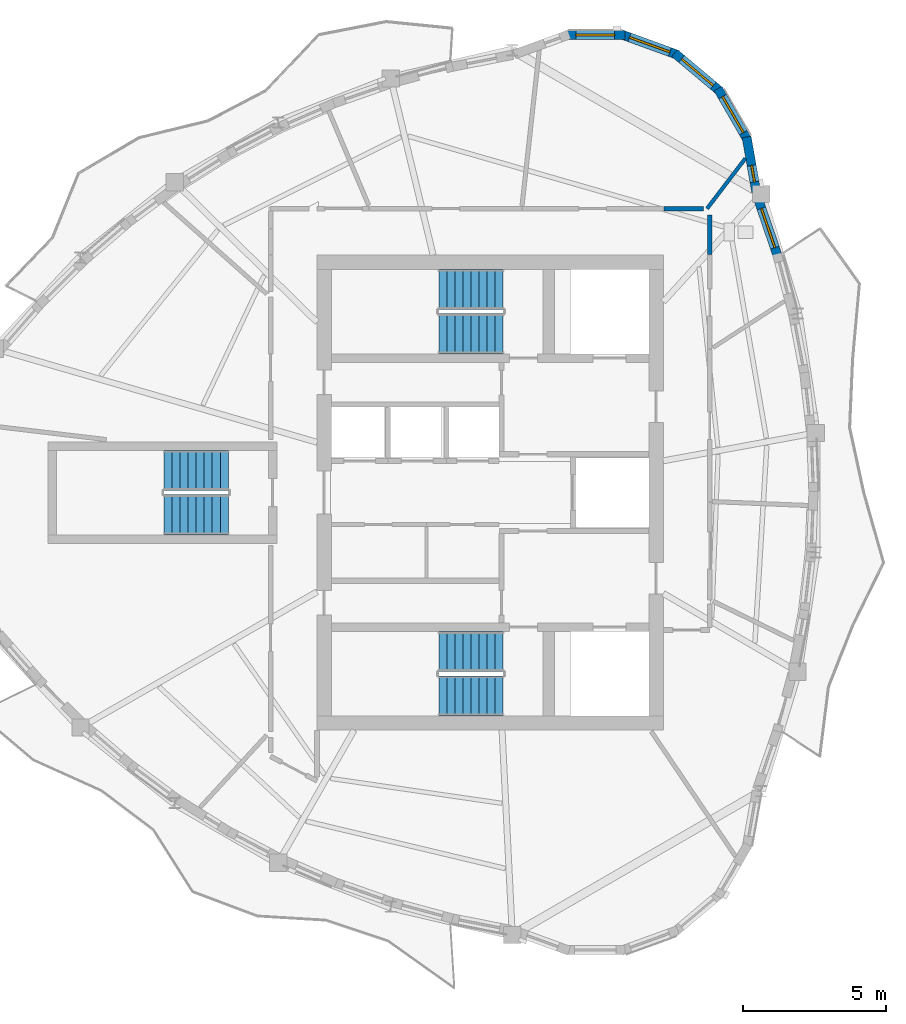
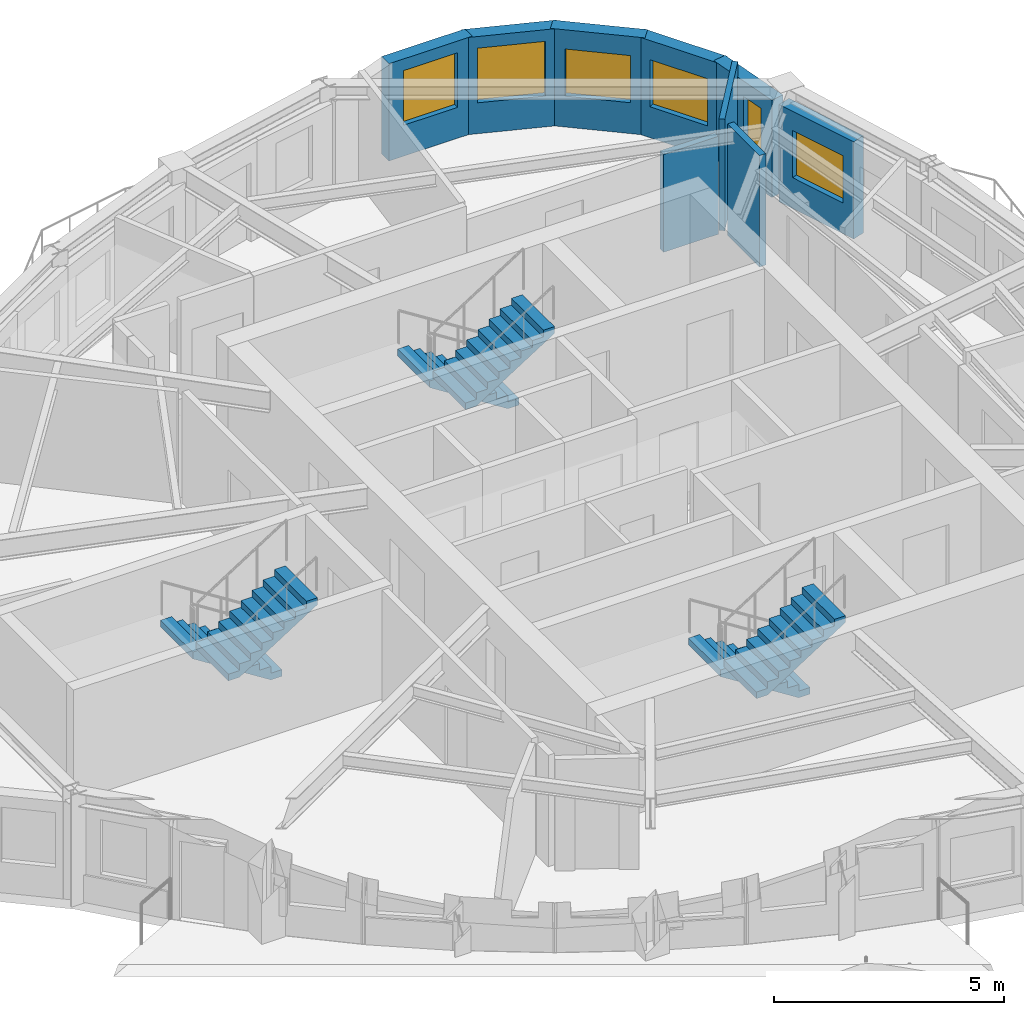
# One storey, part 7 of 11: 9 walls, 6 stair flights, 6 windows, 6 openings, 3 elements without a shape of their own.
"""IFC4 building model written with IfcOpenShell, lengths in metres."""

from ifc_helpers import new_model, si_unit, direction, frame, frame_2d, origin, place, context, subcontext, project, spatial, polyline, rectangle, outline, extrude, source, transform, mapped, material, layer, layer_set, type_object, element, fill, aggregate, save


model = new_model("IFC4")

# Units and contexts
model_context = context("Model", 3, precision=1e-05, world=origin(), true_north=direction((0.0, 1.0)))
body_context = subcontext(model_context, "Body", "Model", "MODEL_VIEW")
ifc_project = project(units=[si_unit("LENGTHUNIT", "METRE"), si_unit("AREAUNIT", "SQUARE_METRE"), si_unit("VOLUMEUNIT", "CUBIC_METRE"), si_unit("PLANEANGLEUNIT", "RADIAN"), si_unit("MASSUNIT", "GRAM", prefix="KILO")], contexts=[model_context])

# Site, building, storey
site_placement = place(None, origin())
site = spatial("IfcSite", under=ifc_project, at=site_placement, CompositionType="ELEMENT")
building_placement = place(site_placement, origin())
building = spatial("IfcBuilding", under=site, at=building_placement, Name="Qafzar Sky-Pleat Residences", CompositionType="ELEMENT")
storey_placement = place(building_placement, frame((0.0, 0.0, 227.60009765625)))
storey = spatial("IfcBuildingStorey", under=building, at=storey_placement, Name="L68", CompositionType="ELEMENT", Elevation=227.60009765625)

# Walls
ifc_material_1 = material(Name="Acoustic gypsum plasterboard partition", Category="gypsum")
ifc_layer_1 = layer(ifc_material_1, 0.159912109375)
ifc_layer_set_1 = layer_set([ifc_layer_1], Name="Acoustic gypsum plasterboard partition")
wall_type_1 = type_object("IfcWallType", Name="PART-COR-160", PredefinedType="PARTITIONING", material=ifc_layer_set_1)
wall_1_placement = place(storey_placement, frame((38.02001953125, 34.31494140625, 0.0), z_axis=(0.0, 0.0, 1.0), x_axis=(0.0, 1.0, 0.0)))
element("IfcWall", 1, at=wall_1_placement, inside=storey, type_object=wall_type_1, Name="L68 Partition Wall PART-L68-PW-022", PredefinedType="PARTITIONING", context=body_context, shape_type="SweptSolid", body=[
    extrude(rectangle(XDim=1.38525390625, YDim=0.159912109375, at=frame_2d((0.692626953125, 0.0))), origin(), (0.0, 0.0, 1.0), 2.9599609375),
])
wall_2_placement = place(storey_placement, frame((36.4150390625, 35.919921875, 0.0), z_axis=(0.0, 0.0, 1.0), x_axis=(1.0, 0.0, 0.0)))
element("IfcWall", 2, at=wall_2_placement, inside=storey, type_object=wall_type_1, Name="L68 Partition Wall PART-L68-PW-023", PredefinedType="PARTITIONING", context=body_context, shape_type="SweptSolid", body=[
    extrude(rectangle(XDim=1.379150390625, YDim=0.159912109375, at=frame_2d((0.689453125, 0.0))), origin(), (0.0, 0.0, 1.0), 2.597900390625),
])
ifc_material_2 = material(Name="Moisture-resistant gypsum partition", Category="gypsum")
ifc_layer_2 = layer(ifc_material_2, 0.1298828125)
ifc_layer_set_2 = layer_set([ifc_layer_2], Name="Moisture-resistant gypsum partition")
wall_type_2 = type_object("IfcWallType", Name="PART-WET-130", PredefinedType="PARTITIONING", material=ifc_layer_set_2)
wall_3_placement = place(storey_placement, frame((37.926025390625, 35.919921875, 0.0), z_axis=(0.0, 0.0, 1.0), x_axis=(0.606987113509, 0.794711673523, 0.0)))
element("IfcWall", 3, at=wall_3_placement, inside=storey, type_object=wall_type_2, Name="L68 Partition Wall PART-L68-PW-020", PredefinedType="PARTITIONING", context=body_context, shape_type="SweptSolid", body=[
    extrude(rectangle(XDim=2.212158203125, YDim=0.1298828125, at=frame_2d((1.10595703125, 0.0))), origin(), (0.0, 0.0, 1.0), 2.9599609375),
])

# Wall, opening, window
ifc_material_3 = material(Name="Precast concrete C40/50 with honed Riyadh limestone", Category="concrete")
ifc_layer_3 = layer(ifc_material_3, 0.320068359375)
ifc_layer_set_3 = layer_set([ifc_layer_3], Name="Precast concrete C40/50 with honed Riyadh limestone")
wall_type_3 = type_object("IfcWallType", Name="WALL-EXT-320", PredefinedType="SOLIDWALL", material=ifc_layer_set_3)
wall_4_placement = place(storey_placement, frame((40.39697265625, 34.25732421875, 0.0), z_axis=(0.0, 0.0, 1.0), x_axis=(-0.323634249216, 0.9461822619, 0.0)))
wall_4 = element("IfcWall", 4, at=wall_4_placement, inside=storey, type_object=wall_type_3, Name="L68 Limestone Facade Wall 32", PredefinedType="SOLIDWALL", context=body_context, shape_type="SweptSolid", body=[
    extrude(rectangle(XDim=2.153076171875, YDim=0.320068359375, at=frame_2d((1.07666015625, 0.0))), origin(), (0.0, 0.0, 1.0), 2.579833984375),
])
opening_1_placement = place(wall_4_placement, frame((0.31640625, 0.0, 0.820068359375)))
opening_1 = element("IfcOpeningElement", 5, at=opening_1_placement, cuts=wall_4, Name="Opening WN-15", PredefinedType="OPENING", context=body_context, shape_type="SweptSolid", body=[
    extrude(rectangle(XDim=1.449951171875, YDim=1.25, at=frame_2d((0.72509765625, 0.625))), frame((0.0, 0.169921875, 0.0), z_axis=(0.0, -1.0, 0.0), x_axis=(1.0, 0.0, 0.0)), (0.0, 0.0, 1.0), 0.340087890625),
])
ifc_material_4 = material(Name="Solar-control low-E glass in bronze aluminium frame", Category="glass")
window_type_1 = type_object("IfcWindowType", Name="WIN-15", PartitioningType="SINGLE_PANEL", PredefinedType="WINDOW", material=ifc_material_4)
shared_shape_1 = source(origin(), body_context, "Body", "SweptSolid", [
    extrude(rectangle(XDim=1.449951171875, YDim=1.25, at=frame_2d((0.72509765625, 0.625))), frame((0.0, 0.030029296875, 0.0), z_axis=(0.0, -1.0, 0.0), x_axis=(1.0, 0.0, 0.0)), (0.0, 0.0, 1.0), 0.06005859375),
])
window_1_placement = place(opening_1_placement, origin())
window_1 = element("IfcWindow", 6, at=window_1_placement, inside=storey, type_object=window_type_1, Name="L68 Punched Facade Window 32", OverallHeight=1.25, OverallWidth=1.449951171875, PartitioningType="SINGLE_PANEL", PredefinedType="WINDOW", context=body_context, shape_type="MappedRepresentation", body=[
    mapped(shared_shape_1, transform((0.0, 0.0, 0.0), x_axis=(1.0, 0.0, 0.0), y_axis=(0.0, 1.0, 0.0), z_axis=(0.0, 0.0, 1.0), scale=1.0)),
])
fill(opening_1, window_1)

wall_5_placement = place(storey_placement, frame((39.6494140625, 36.4921875, 0.0), z_axis=(0.0, 0.0, 1.0), x_axis=(-0.173693060482, 0.984799837906, 0.0)))
wall_5 = element("IfcWall", 7, at=wall_5_placement, inside=storey, type_object=wall_type_3, Name="L68 Limestone Facade Wall 33", PredefinedType="SOLIDWALL", context=body_context, shape_type="SweptSolid", body=[
    extrude(rectangle(XDim=1.962158203125, YDim=0.320068359375, at=frame_2d((0.98095703125, 0.0))), origin(), (0.0, 0.0, 1.0), 2.579833984375),
])
opening_2_placement = place(wall_5_placement, frame((0.37060546875, 0.0, 0.820068359375)))
opening_2 = element("IfcOpeningElement", 8, at=opening_2_placement, cuts=wall_5, Name="Opening WN-17", PredefinedType="OPENING", context=body_context, shape_type="SweptSolid", body=[
    extrude(rectangle(XDim=0.580078125, YDim=1.35009765625, at=frame_2d((0.2900390625, 0.675048828125))), frame((0.0, 0.169921875, 0.0), z_axis=(0.0, -1.0, 0.0), x_axis=(1.0, 0.0, 0.0)), (0.0, 0.0, 1.0), 0.340087890625),
])
window_type_2 = type_object("IfcWindowType", Name="WIN-17", PartitioningType="SINGLE_PANEL", PredefinedType="WINDOW", material=ifc_material_4)
shared_shape_2 = source(origin(), body_context, "Body", "SweptSolid", [
    extrude(rectangle(XDim=0.580078125, YDim=1.35009765625, at=frame_2d((0.2900390625, 0.675048828125))), frame((0.0, 0.030029296875, 0.0), z_axis=(0.0, -1.0, 0.0), x_axis=(1.0, 0.0, 0.0)), (0.0, 0.0, 1.0), 0.06005859375),
])
window_2_placement = place(opening_2_placement, origin())
window_2 = element("IfcWindow", 9, at=window_2_placement, inside=storey, type_object=window_type_2, Name="L68 Punched Facade Window 33", OverallHeight=1.35009765625, OverallWidth=0.580078125, PartitioningType="SINGLE_PANEL", PredefinedType="WINDOW", context=body_context, shape_type="MappedRepresentation", body=[
    mapped(shared_shape_2, transform((0.0, 0.0, 0.0), x_axis=(1.0, 0.0, 0.0), y_axis=(0.0, 1.0, 0.0), z_axis=(0.0, 0.0, 1.0), scale=1.0)),
])
fill(opening_2, window_2)

wall_6_placement = place(storey_placement, frame((39.35302734375, 38.302001953125, 0.0), z_axis=(0.0, 0.0, 1.0), x_axis=(-0.49990781971, 0.866078617559, 0.0)))
wall_6 = element("IfcWall", 10, at=wall_6_placement, inside=storey, type_object=wall_type_3, Name="L68 Limestone Facade Wall 34", PredefinedType="SOLIDWALL", context=body_context, shape_type="SweptSolid", body=[
    extrude(rectangle(XDim=2.09033203125, YDim=0.320068359375, at=frame_2d((1.045166015625, 0.0))), origin(), (0.0, 0.0, 1.0), 2.579833984375),
])
opening_3_placement = place(wall_6_placement, frame((0.320068359375, 0.0, 0.820068359375)))
opening_3 = element("IfcOpeningElement", 11, at=opening_3_placement, cuts=wall_6, Name="Opening WN-15", PredefinedType="OPENING", context=body_context, shape_type="SweptSolid", body=[
    extrude(rectangle(XDim=1.449951171875, YDim=1.25, at=frame_2d((0.72509765625, 0.625))), frame((0.0, 0.169921875, 0.0), z_axis=(0.0, -1.0, 0.0), x_axis=(1.0, 0.0, 0.0)), (0.0, 0.0, 1.0), 0.340087890625),
])
window_3_placement = place(opening_3_placement, origin())
window_3 = element("IfcWindow", 12, at=window_3_placement, inside=storey, type_object=window_type_1, Name="L68 Punched Facade Window 34", OverallHeight=1.25, OverallWidth=1.449951171875, PartitioningType="SINGLE_PANEL", PredefinedType="WINDOW", context=body_context, shape_type="MappedRepresentation", body=[
    mapped(shared_shape_1, transform((0.0, 0.0, 0.0), x_axis=(1.0, 0.0, 0.0), y_axis=(0.0, 1.0, 0.0), z_axis=(0.0, 0.0, 1.0), scale=1.0)),
])
fill(opening_3, window_3)

wall_7_placement = place(storey_placement, frame((38.391845703125, 40.012451171875, 0.0), z_axis=(0.0, 0.0, 1.0), x_axis=(-0.766024572719, 0.642811289563, 0.0)))
wall_7 = element("IfcWall", 13, at=wall_7_placement, inside=storey, type_object=wall_type_3, Name="L68 Limestone Facade Wall 35", PredefinedType="SOLIDWALL", context=body_context, shape_type="SweptSolid", body=[
    extrude(rectangle(XDim=2.09033203125, YDim=0.320068359375, at=frame_2d((1.045166015625, 0.0))), origin(), (0.0, 0.0, 1.0), 2.579833984375),
])
opening_4_placement = place(wall_7_placement, frame((0.3203125, 0.0, 0.820068359375)))
opening_4 = element("IfcOpeningElement", 14, at=opening_4_placement, cuts=wall_7, Name="Opening WN-15", PredefinedType="OPENING", context=body_context, shape_type="SweptSolid", body=[
    extrude(rectangle(XDim=1.449951171875, YDim=1.25, at=frame_2d((0.72509765625, 0.625))), frame((0.0, 0.169921875, 0.0), z_axis=(0.0, -1.0, 0.0), x_axis=(1.0, 0.0, 0.0)), (0.0, 0.0, 1.0), 0.340087890625),
])
window_4_placement = place(opening_4_placement, origin())
window_4 = element("IfcWindow", 15, at=window_4_placement, inside=storey, type_object=window_type_1, Name="L68 Punched Facade Window 35", OverallHeight=1.25, OverallWidth=1.449951171875, PartitioningType="SINGLE_PANEL", PredefinedType="WINDOW", context=body_context, shape_type="MappedRepresentation", body=[
    mapped(shared_shape_1, transform((0.0, 0.0, 0.0), x_axis=(1.0, 0.0, 0.0), y_axis=(0.0, 1.0, 0.0), z_axis=(0.0, 0.0, 1.0), scale=1.0)),
])
fill(opening_4, window_4)

wall_8_placement = place(storey_placement, frame((36.903564453125, 41.291015625, 0.0), z_axis=(0.0, 0.0, 1.0), x_axis=(-0.939711556618, 0.341968113072, 0.0)))
wall_8 = element("IfcWall", 16, at=wall_8_placement, inside=storey, type_object=wall_type_3, Name="L68 Limestone Facade Wall 36", PredefinedType="SOLIDWALL", context=body_context, shape_type="SweptSolid", body=[
    extrude(rectangle(XDim=2.09033203125, YDim=0.320068359375, at=frame_2d((1.045166015625, 0.0))), origin(), (0.0, 0.0, 1.0), 2.579833984375),
])
opening_5_placement = place(wall_8_placement, frame((0.295166015625, 0.0, 0.820068359375)))
opening_5 = element("IfcOpeningElement", 17, at=opening_5_placement, cuts=wall_8, Name="Opening WN-03", PredefinedType="OPENING", context=body_context, shape_type="SweptSolid", body=[
    extrude(rectangle(XDim=1.5, YDim=1.449951171875, at=frame_2d((0.75, 0.72509765625))), frame((0.0, 0.169921875, 0.0), z_axis=(0.0, -1.0, 0.0), x_axis=(1.0, 0.0, 0.0)), (0.0, 0.0, 1.0), 0.340087890625),
])
window_type_3 = type_object("IfcWindowType", Name="WIN-03", PartitioningType="DOUBLE_PANEL_VERTICAL", PredefinedType="WINDOW", material=ifc_material_4)
shared_shape_3 = source(origin(), body_context, "Body", "SweptSolid", [
    extrude(rectangle(XDim=1.5, YDim=1.449951171875, at=frame_2d((0.75, 0.72509765625))), frame((0.0, 0.030029296875, 0.0), z_axis=(0.0, -1.0, 0.0), x_axis=(1.0, 0.0, 0.0)), (0.0, 0.0, 1.0), 0.06005859375),
])
window_5_placement = place(opening_5_placement, origin())
window_5 = element("IfcWindow", 18, at=window_5_placement, inside=storey, type_object=window_type_3, Name="L68 Punched Facade Window 36", OverallHeight=1.449951171875, OverallWidth=1.5, PartitioningType="SINGLE_PANEL", PredefinedType="WINDOW", context=body_context, shape_type="MappedRepresentation", body=[
    mapped(shared_shape_3, transform((0.0, 0.0, 0.0), x_axis=(1.0, 0.0, 0.0), y_axis=(0.0, 1.0, 0.0), z_axis=(0.0, 0.0, 1.0), scale=1.0)),
])
fill(opening_5, window_5)

wall_9_placement = place(storey_placement, frame((35.067626953125, 41.983154296875, 0.0), z_axis=(0.0, 0.0, 1.0), x_axis=(-1.0, 0.0, 0.0)))
wall_9 = element("IfcWall", 19, at=wall_9_placement, inside=storey, type_object=wall_type_3, Name="L68 Limestone Facade Wall 37", PredefinedType="SOLIDWALL", context=body_context, shape_type="SweptSolid", body=[
    extrude(rectangle(XDim=2.09033203125, YDim=0.320068359375, at=frame_2d((1.045166015625, 0.0))), origin(), (0.0, 0.0, 1.0), 2.579833984375),
])
opening_6_placement = place(wall_9_placement, frame((0.3701171875, 0.0, 0.820068359375)))
opening_6 = element("IfcOpeningElement", 20, at=opening_6_placement, cuts=wall_9, Name="Opening WN-04", PredefinedType="OPENING", context=body_context, shape_type="SweptSolid", body=[
    extrude(rectangle(XDim=1.35009765625, YDim=1.449951171875, at=frame_2d((0.675048828125, 0.72509765625))), frame((0.0, 0.169921875, 0.0), z_axis=(0.0, -1.0, 0.0), x_axis=(1.0, 0.0, 0.0)), (0.0, 0.0, 1.0), 0.340087890625),
])
window_type_4 = type_object("IfcWindowType", Name="WIN-04", PartitioningType="SINGLE_PANEL", PredefinedType="WINDOW", material=ifc_material_4)
shared_shape_4 = source(origin(), body_context, "Body", "SweptSolid", [
    extrude(rectangle(XDim=1.35009765625, YDim=1.449951171875, at=frame_2d((0.675048828125, 0.72509765625))), frame((0.0, 0.030029296875, 0.0), z_axis=(0.0, -1.0, 0.0), x_axis=(1.0, 0.0, 0.0)), (0.0, 0.0, 1.0), 0.06005859375),
])
window_6_placement = place(opening_6_placement, origin())
window_6 = element("IfcWindow", 21, at=window_6_placement, inside=storey, type_object=window_type_4, Name="L68 Punched Facade Window 37", OverallHeight=1.449951171875, OverallWidth=1.35009765625, PartitioningType="SINGLE_PANEL", PredefinedType="WINDOW", context=body_context, shape_type="MappedRepresentation", body=[
    mapped(shared_shape_4, transform((0.0, 0.0, 0.0), x_axis=(1.0, 0.0, 0.0), y_axis=(0.0, 1.0, 0.0), z_axis=(0.0, 0.0, 1.0), scale=1.0)),
])
fill(opening_6, window_6)

# Stair, stair flights
ifc_material_5 = material(Name="Concrete C40/50", Category="concrete")
stair_type = type_object("IfcStairType", Name="STAIR-H320", PredefinedType="HALF_TURN_STAIR", material=ifc_material_5)
stair_1_placement = place(storey_placement, origin())
stair_1 = element("IfcStair", 22, at=stair_1_placement, inside=storey, type_object=stair_type, Name="L68 Protected Exit Stair ST1", PredefinedType="HALF_TURN_STAIR")
stair_flight_type = type_object("IfcStairFlightType", Name="FLIGHT-H320", PredefinedType="STRAIGHT", material=ifc_material_5)
shared_shape_5 = source(origin(), body_context, "Body", "SweptSolid", [
    extrude(outline(polyline([(0.0, 0.0), (0.0, 0.177734375), (0.280029296875, 0.177734375), (0.280029296875, 0.35546875), (0.56005859375, 0.35546875), (0.56005859375, 0.533447265625), (0.840087890625, 0.533447265625), (0.840087890625, 0.711181640625), (1.1201171875, 0.711181640625), (1.1201171875, 0.888916015625), (1.39990234375, 0.888916015625), (1.39990234375, 1.066650390625), (1.679931640625, 1.066650390625), (1.679931640625, 1.244384765625), (1.9599609375, 1.244384765625), (1.9599609375, 1.422119140625), (2.239990234375, 1.422119140625), (2.239990234375, 1.60009765625), (2.239990234375, 1.24462890625), (0.27978515625, 0.0), (0.0, 0.0)])), frame((0.0, 0.699951171875, 0.0), z_axis=(0.0, -1.0, 0.0), x_axis=(1.0, 0.0, 0.0)), (0.0, 0.0, 1.0), 1.39990234375),
])
stair_flight_1_placement = place(storey_placement, frame((30.800048828125, 20.449951171875, 0.0), z_axis=(0.0, 0.0, 1.0), x_axis=(-1.0, 0.0, 0.0)))
stair_flight_1 = element("IfcStairFlight", 23, at=stair_flight_1_placement, type_object=stair_flight_type, Name="ST1 flight 1", NumberOfRisers=9, NumberOfTreads=8, PredefinedType="STRAIGHT", RiserHeight=0.177777778, TreadLength=0.28, context=body_context, shape_type="MappedRepresentation", body=[
    mapped(shared_shape_5, transform((0.0, 0.0, 0.0), x_axis=(1.0, 0.0, 0.0), y_axis=(0.0, 1.0, 0.0), z_axis=(0.0, 0.0, 1.0), scale=1.0)),
])
stair_flight_2_placement = place(storey_placement, frame((28.56005859375, 18.89990234375, 1.599853515625), z_axis=(0.0, 0.0, 1.0), x_axis=(1.0, 0.0, 0.0)))
stair_flight_2 = element("IfcStairFlight", 24, at=stair_flight_2_placement, type_object=stair_flight_type, Name="ST1 flight 2", NumberOfRisers=9, NumberOfTreads=8, PredefinedType="STRAIGHT", RiserHeight=0.177777778, TreadLength=0.28, context=body_context, shape_type="MappedRepresentation", body=[
    mapped(shared_shape_5, transform((0.0, 0.0, 0.0), x_axis=(1.0, 0.0, 0.0), y_axis=(0.0, 1.0, 0.0), z_axis=(0.0, 0.0, 1.0), scale=1.0)),
])
aggregate(stair_1, [stair_flight_1, stair_flight_2])

stair_2_placement = place(storey_placement, origin())
stair_2 = element("IfcStair", 25, at=stair_2_placement, inside=storey, type_object=stair_type, Name="L68 Protected Exit Stair ST2", PredefinedType="HALF_TURN_STAIR")
stair_flight_3_placement = place(storey_placement, frame((30.800048828125, 33.10009765625, 0.0), z_axis=(0.0, 0.0, 1.0), x_axis=(-1.0, 0.0, 0.0)))
stair_flight_3 = element("IfcStairFlight", 26, at=stair_flight_3_placement, type_object=stair_flight_type, Name="ST2 flight 1", NumberOfRisers=9, NumberOfTreads=8, PredefinedType="STRAIGHT", RiserHeight=0.177777778, TreadLength=0.28, context=body_context, shape_type="MappedRepresentation", body=[
    mapped(shared_shape_5, transform((0.0, 0.0, 0.0), x_axis=(1.0, 0.0, 0.0), y_axis=(0.0, 1.0, 0.0), z_axis=(0.0, 0.0, 1.0), scale=1.0)),
])
stair_flight_4_placement = place(storey_placement, frame((28.56005859375, 31.550048828125, 1.599853515625), z_axis=(0.0, 0.0, 1.0), x_axis=(1.0, 0.0, 0.0)))
stair_flight_4 = element("IfcStairFlight", 27, at=stair_flight_4_placement, type_object=stair_flight_type, Name="ST2 flight 2", NumberOfRisers=9, NumberOfTreads=8, PredefinedType="STRAIGHT", RiserHeight=0.177777778, TreadLength=0.28, context=body_context, shape_type="MappedRepresentation", body=[
    mapped(shared_shape_5, transform((0.0, 0.0, 0.0), x_axis=(1.0, 0.0, 0.0), y_axis=(0.0, 1.0, 0.0), z_axis=(0.0, 0.0, 1.0), scale=1.0)),
])
aggregate(stair_2, [stair_flight_3, stair_flight_4])

stair_3_placement = place(storey_placement, origin())
stair_3 = element("IfcStair", 28, at=stair_3_placement, inside=storey, type_object=stair_type, Name="L68 Protected Exit Stair ST3", PredefinedType="HALF_TURN_STAIR")
stair_flight_5_placement = place(storey_placement, frame((21.199951171875, 26.77490234375, 0.0), z_axis=(0.0, 0.0, 1.0), x_axis=(-1.0, 0.0, 0.0)))
stair_flight_5 = element("IfcStairFlight", 29, at=stair_flight_5_placement, type_object=stair_flight_type, Name="ST3 flight 1", NumberOfRisers=9, NumberOfTreads=8, PredefinedType="STRAIGHT", RiserHeight=0.177777778, TreadLength=0.28, context=body_context, shape_type="MappedRepresentation", body=[
    mapped(shared_shape_5, transform((0.0, 0.0, 0.0), x_axis=(1.0, 0.0, 0.0), y_axis=(0.0, 1.0, 0.0), z_axis=(0.0, 0.0, 1.0), scale=1.0)),
])
stair_flight_6_placement = place(storey_placement, frame((18.9599609375, 25.22509765625, 1.599853515625), z_axis=(0.0, 0.0, 1.0), x_axis=(1.0, 0.0, 0.0)))
stair_flight_6 = element("IfcStairFlight", 30, at=stair_flight_6_placement, type_object=stair_flight_type, Name="ST3 flight 2", NumberOfRisers=9, NumberOfTreads=8, PredefinedType="STRAIGHT", RiserHeight=0.177777778, TreadLength=0.28, context=body_context, shape_type="MappedRepresentation", body=[
    mapped(shared_shape_5, transform((0.0, 0.0, 0.0), x_axis=(1.0, 0.0, 0.0), y_axis=(0.0, 1.0, 0.0), z_axis=(0.0, 0.0, 1.0), scale=1.0)),
])
aggregate(stair_3, [stair_flight_5, stair_flight_6])

save(model, "model.ifc")
